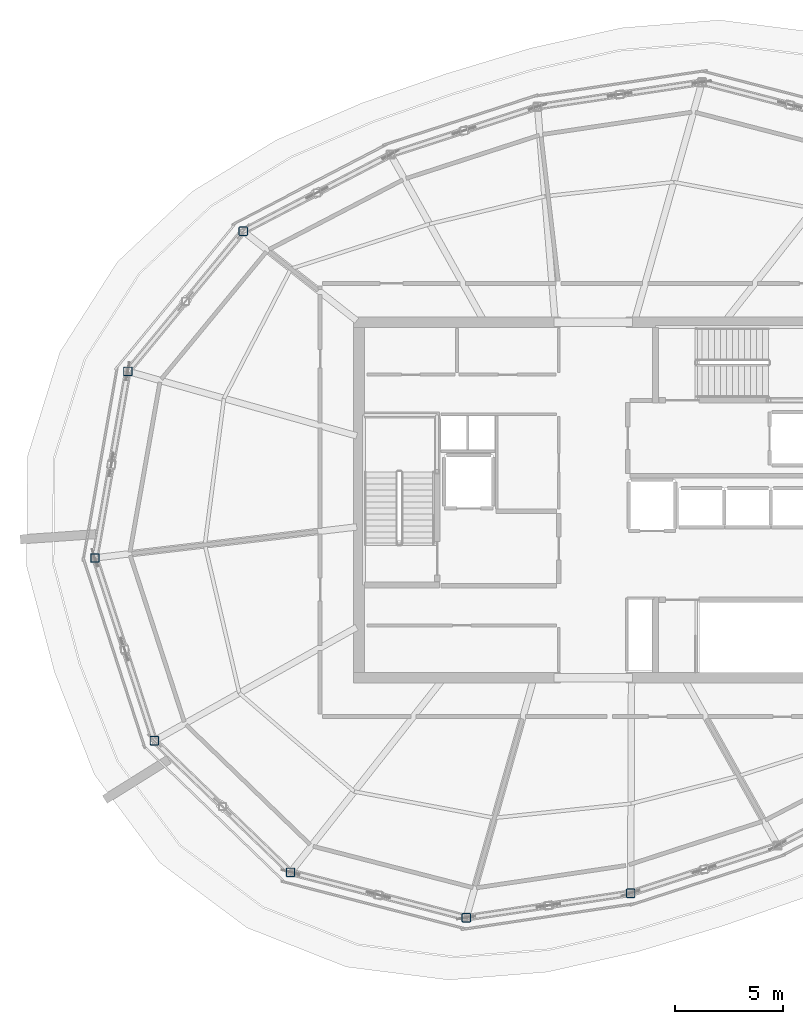
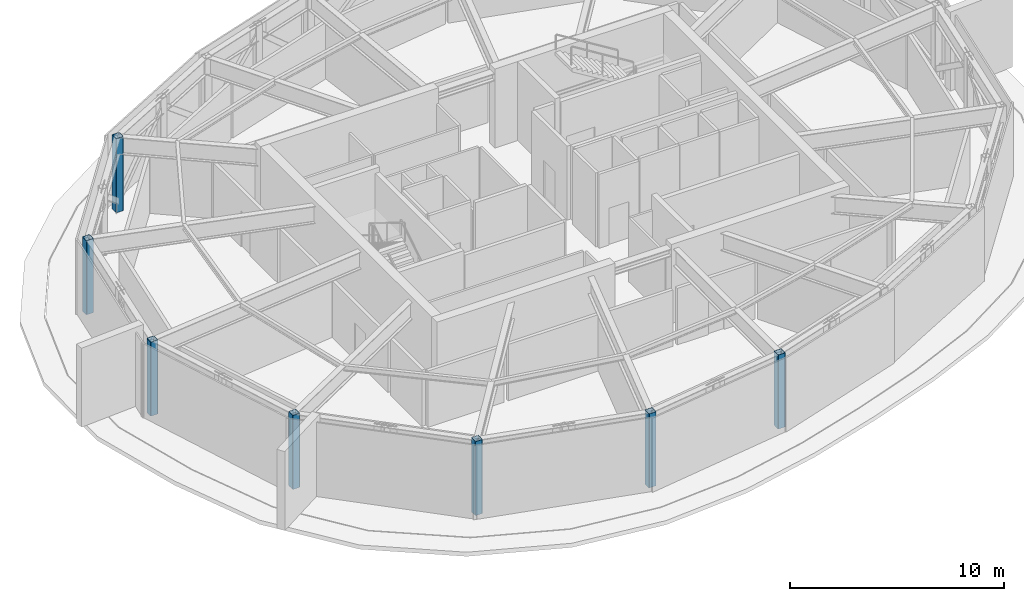
# One storey, part 1 of 14: 7 columns.
"""IFC4 building model written with IfcOpenShell, lengths in metres."""

from ifc_helpers import new_model, si_unit, direction, frame, origin, origin_2d, place, context, subcontext, project, spatial, hollow_rectangle, extrude, material, material_profile, profile_set, type_object, element, save


model = new_model("IFC4")

# Units and contexts
model_context = context("Model", 3, precision=1e-05, world=origin(), true_north=direction((0.0, 1.0)))
body_context = subcontext(model_context, "Body", "Model", "MODEL_VIEW")
ifc_project = project(units=[si_unit("LENGTHUNIT", "METRE"), si_unit("AREAUNIT", "SQUARE_METRE"), si_unit("VOLUMEUNIT", "CUBIC_METRE"), si_unit("PLANEANGLEUNIT", "RADIAN"), si_unit("MASSUNIT", "GRAM", prefix="KILO")], contexts=[model_context])

# Site, building, storey
site_placement = place(None, origin())
site = spatial("IfcSite", under=ifc_project, at=site_placement, CompositionType="ELEMENT")
building_placement = place(site_placement, origin())
building = spatial("IfcBuilding", under=site, at=building_placement, Name="Kazma Halo Residences", CompositionType="ELEMENT")
storey_placement = place(building_placement, frame((0.0, 0.0, 351.5)))
storey = spatial("IfcBuildingStorey", under=building, at=storey_placement, Name="L88", CompositionType="ELEMENT", Elevation=351.5)

# Columns
ifc_material = material(Name="Steel S355", Category="steel")
ifc_material_profile = material_profile(ifc_material, hollow_rectangle(XDim=0.39990234375, YDim=0.39990234375, WallThickness=0.02001953125, InnerFilletRadius=0.02001953125, OuterFilletRadius=0.0400390625, at=origin_2d()), Name="SHS400x400x20")
ifc_profile_set = profile_set([ifc_material_profile], Name="Steel S355")
column_type = type_object("IfcColumnType", Name="COL-CROWN-SHS400", PredefinedType="COLUMN", material=ifc_profile_set)
for number, where, z_axis, x_axis, name in (
    (1, (32.184814453125, 54.467529296875, 0.0), (0.0, 0.0, 1.0), (1.0, 0.0, 0.0), "L88 perimeter ring column P06"),
    (2, (26.830078125, 47.970458984375, 0.0), (0.0, 0.0, 1.0), (1.0, 0.0, 0.0), "L88 perimeter ring column P07"),
    (3, (25.3037109375, 39.313720703125, 0.0), (0.0, 0.0, 1.0), (1.0, 0.0, 0.0), "L88 perimeter ring column P08"),
    (4, (28.059326171875, 30.832763671875, 0.0), (0.0, 0.0, 1.0), (1.0, 0.0, 0.0), "L88 perimeter ring column P09"),
    (5, (34.382568359375, 24.726318359375, 0.0), (0.0, 0.0, 1.0), (1.0, 0.0, 0.0), "L88 perimeter ring column P10"),
    (6, (42.53369140625, 22.61767578125, 0.0), (0.0, 0.0, 1.0), (1.0, 0.0, 0.0), "L88 perimeter ring column P11"),
    (7, (50.1591796875, 23.75634765625, 0.0), (0.0, 0.0, 1.0), (1.0, 0.0, 0.0), "L88 perimeter ring column P12"),
):
    element("IfcColumn", number, at=place(storey_placement, frame(where, z_axis=z_axis, x_axis=x_axis)), inside=storey, type_object=column_type, Name=name, PredefinedType="COLUMN", context=body_context, shape_type="SweptSolid", body=[
        extrude(hollow_rectangle(XDim=0.39990234375, YDim=0.39990234375, WallThickness=0.02001953125, InnerFilletRadius=0.02001953125, OuterFilletRadius=0.0400390625, at=origin_2d()), origin(), (0.0, 0.0, 1.0), 4.219970703125),
    ])

save(model, "model.ifc")
